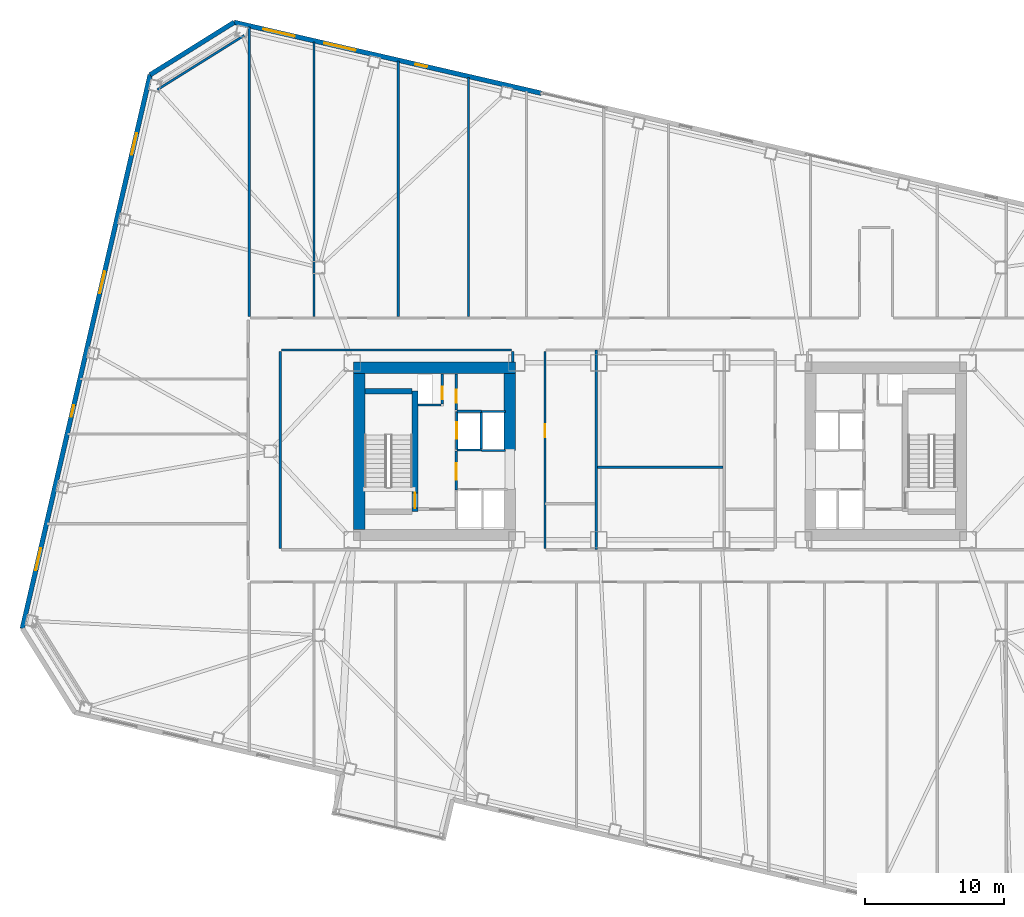
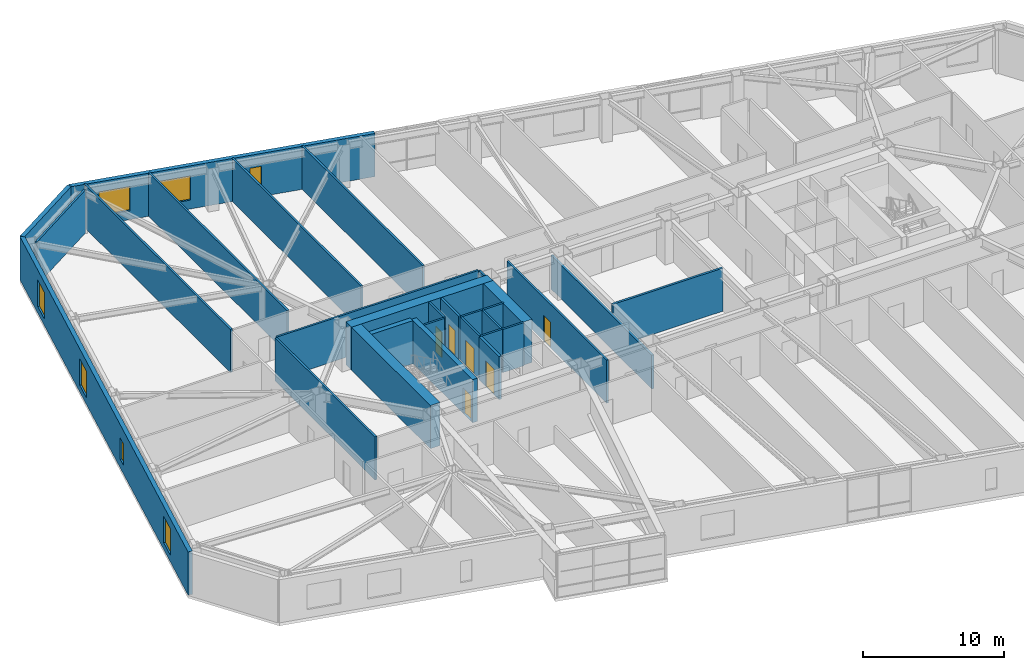
# One storey, part 13 of 21: 29 walls, 7 windows, 6 doors, 13 openings.
"""IFC4 building model written with IfcOpenShell, lengths in metres."""

from ifc_helpers import new_model, si_unit, direction, frame, frame_2d, origin, place, context, subcontext, project, spatial, rectangle, extrude, material, layer, layer_set, type_object, element, fill, save


model = new_model("IFC4")

# Units and contexts
model_context = context("Model", 3, precision=1e-05, world=origin(), true_north=direction((0.0, 1.0)))
body_context = subcontext(model_context, "Body", "Model", "MODEL_VIEW")
ifc_project = project(units=[si_unit("LENGTHUNIT", "METRE"), si_unit("AREAUNIT", "SQUARE_METRE"), si_unit("VOLUMEUNIT", "CUBIC_METRE"), si_unit("PLANEANGLEUNIT", "RADIAN"), si_unit("MASSUNIT", "GRAM", prefix="KILO")], contexts=[model_context])

# Site, building, storey
site_placement = place(None, origin())
site = spatial("IfcSite", under=ifc_project, at=site_placement, CompositionType="ELEMENT")
building_placement = place(site_placement, origin())
building = spatial("IfcBuilding", under=site, at=building_placement, Name="Tavrogorsk Clinical Tower", CompositionType="ELEMENT")
storey_placement = place(building_placement, frame((0.0, 0.0, 43.39990234375)))
storey = spatial("IfcBuildingStorey", under=building, at=storey_placement, Name="L08", CompositionType="ELEMENT", Elevation=43.39990234375)

# Wall, opening, door
ifc_material_1 = material(Name="Concrete B60", Category="concrete")
ifc_layer_1 = layer(ifc_material_1, 0.199951171875)
ifc_layer_set_1 = layer_set([ifc_layer_1], Name="Concrete B60")
wall_type_1 = type_object("IfcWallType", Name="CoreFireWall_200", PredefinedType="SOLIDWALL", material=ifc_layer_set_1)
wall_1_placement = place(storey_placement, frame((-14.639892578125, 2.9599609375, 0.0), z_axis=(0.0, 0.0, 1.0), x_axis=(0.0, 1.0, 0.0)))
wall_1 = element("IfcWall", 1, at=wall_1_placement, inside=storey, type_object=wall_type_1, Name="L08 Core West North Core Room East Wall", PredefinedType="SOLIDWALL", context=body_context, shape_type="SweptSolid", body=[
    extrude(rectangle(XDim=2.60009765625, YDim=0.199951171875, at=frame_2d((1.300048828125, 0.0))), origin(), (0.0, 0.0, 1.0), 3.739990234375),
])
opening_1_placement = place(wall_1_placement, frame((0.52001953125, 0.0, 0.0)))
opening_1 = element("IfcOpeningElement", 2, at=opening_1_placement, cuts=wall_1, Name="Opening ID-02", PredefinedType="OPENING", context=body_context, shape_type="SweptSolid", body=[
    extrude(rectangle(XDim=0.949951171875, YDim=2.199951171875, at=frame_2d((0.47509765625, 1.10009765625))), frame((0.0, 0.10986328125, 0.0), z_axis=(0.0, -1.0, 0.0), x_axis=(1.0, 0.0, 0.0)), (0.0, 0.0, 1.0), 0.219970703125),
])
ifc_material_2 = material(Name="Laminated timber leaf on aluminium frame", Category="wood")
door_type_1 = type_object("IfcDoorType", Name="InteriorDoor_ID02_950", OperationType="NOTDEFINED", PredefinedType="DOOR", material=ifc_material_2)
door_1_placement = place(opening_1_placement, origin())
door_1 = element("IfcDoor", 3, at=door_1_placement, inside=storey, type_object=door_type_1, Name="L08 Core West Core Telemetry Room Door", OperationType="SINGLE_SWING_LEFT", OverallHeight=2.199951171875, OverallWidth=0.949951171875, PredefinedType="DOOR", context=body_context, shape_type="SweptSolid", body=[
    extrude(rectangle(XDim=0.949951171875, YDim=2.199951171875, at=frame_2d((0.47509765625, 1.10009765625))), frame((0.0, 0.02490234375, 0.0), z_axis=(0.0, -1.0, 0.0), x_axis=(1.0, 0.0, 0.0)), (0.0, 0.0, 1.0), 0.050048828125),
])
fill(opening_1, door_1)

wall_2_placement = place(storey_placement, frame((-14.639892578125, -2.780029296875, 0.0), z_axis=(0.0, 0.0, 1.0), x_axis=(0.0, 1.0, 0.0)))
wall_2 = element("IfcWall", 4, at=wall_2_placement, inside=storey, type_object=wall_type_1, Name="L08 Core West Firefighting Lobby Fire Wall", PredefinedType="SOLIDWALL", context=body_context, shape_type="SweptSolid", body=[
    extrude(rectangle(XDim=2.820068359375, YDim=0.199951171875, at=frame_2d((1.41015625, 0.0))), origin(), (0.0, 0.0, 1.0), 3.739990234375),
])
opening_2_placement = place(wall_2_placement, frame((0.72998046875, 0.0, 0.0)))
opening_2 = element("IfcOpeningElement", 5, at=opening_2_placement, cuts=wall_2, Name="Opening FD-01", PredefinedType="OPENING", context=body_context, shape_type="SweptSolid", body=[
    extrude(rectangle(XDim=1.199951171875, YDim=2.199951171875, at=frame_2d((0.60009765625, 1.10009765625))), frame((0.0, 0.10986328125, 0.0), z_axis=(0.0, -1.0, 0.0), x_axis=(1.0, 0.0, 0.0)), (0.0, 0.0, 1.0), 0.219970703125),
])
ifc_material_3 = material(Name="Galvanised steel fire-rated door assembly", Category="steel")
door_type_2 = type_object("IfcDoorType", Name="FireDoor_FD01_1200", OperationType="NOTDEFINED", PredefinedType="DOOR", material=ifc_material_3)
door_2_placement = place(opening_2_placement, origin())
door_2 = element("IfcDoor", 6, at=door_2_placement, inside=storey, type_object=door_type_2, Name="L08 Core West Firefighting Lobby Entry Door", OperationType="SINGLE_SWING_RIGHT", OverallHeight=2.199951171875, OverallWidth=1.199951171875, PredefinedType="DOOR", context=body_context, shape_type="SweptSolid", body=[
    extrude(rectangle(XDim=1.199951171875, YDim=2.199951171875, at=frame_2d((0.60009765625, 1.10009765625))), frame((0.0, 0.02490234375, 0.0), z_axis=(0.0, -1.0, 0.0), x_axis=(1.0, 0.0, 0.0)), (0.0, 0.0, 1.0), 0.050048828125),
])
fill(opening_2, door_2)

# Wall
ifc_material_4 = material(Name="Lightweight concrete blockwork B15", Category="masonry")
ifc_layer_2 = layer(ifc_material_4, 0.159912109375)
ifc_layer_set_2 = layer_set([ifc_layer_2], Name="Lightweight concrete blockwork B15")
wall_type_2 = type_object("IfcWallType", Name="PartitionWall_160", PredefinedType="PARTITIONING", material=ifc_layer_set_2)
wall_3_placement = place(storey_placement, frame((-29.859619140625, 29.8681640625, 0.0), z_axis=(0.0, 0.0, 1.0), x_axis=(-0.848043064089, -0.529927317139, 0.0)))
element("IfcWall", 7, at=wall_3_placement, inside=storey, type_object=wall_type_2, Name="L08 Corner Exoskeleton Brace Furring Wall 3", PredefinedType="PARTITIONING", context=body_context, shape_type="SweptSolid", body=[
    extrude(rectangle(XDim=7.353759765625, YDim=0.159912109375, at=frame_2d((3.6767578125, 0.0))), origin(), (0.0, 0.0, 1.0), 3.739990234375),
])

# Wall, opening, door
wall_4_placement = place(storey_placement, frame((-8.27001953125, 7.18505859375, 0.0), z_axis=(0.0, 0.0, 1.0), x_axis=(0.0, -1.0, 0.0)))
wall_4 = element("IfcWall", 8, at=wall_4_placement, inside=storey, type_object=wall_type_2, Name="L08 Corridor Partition 16", PredefinedType="PARTITIONING", context=body_context, shape_type="SweptSolid", body=[
    extrude(rectangle(XDim=14.170166015625, YDim=0.159912109375, at=frame_2d((7.0849609375, 0.0))), origin(), (0.0, 0.0, 1.0), 3.739990234375),
])
opening_3_placement = place(wall_4_placement, frame((5.22900390625, 0.0, 0.0)))
opening_3 = element("IfcOpeningElement", 9, at=opening_3_placement, cuts=wall_4, Name="Opening ID-02", PredefinedType="OPENING", context=body_context, shape_type="SweptSolid", body=[
    extrude(rectangle(XDim=0.949951171875, YDim=2.199951171875, at=frame_2d((0.47509765625, 1.10009765625))), frame((0.0, 0.08984375, 0.0), z_axis=(0.0, -1.0, 0.0), x_axis=(1.0, 0.0, 0.0)), (0.0, 0.0, 1.0), 0.179931640625),
])
door_3_placement = place(opening_3_placement, origin())
door_3 = element("IfcDoor", 10, at=door_3_placement, inside=storey, type_object=door_type_1, Name="L08 Ward Nourishment Pantry Door", OperationType="SINGLE_SWING_RIGHT", OverallHeight=2.199951171875, OverallWidth=0.949951171875, PredefinedType="DOOR", context=body_context, shape_type="SweptSolid", body=[
    extrude(rectangle(XDim=0.949951171875, YDim=2.199951171875, at=frame_2d((0.47509765625, 1.10009765625))), frame((0.0, 0.02490234375, 0.0), z_axis=(0.0, -1.0, 0.0), x_axis=(1.0, 0.0, 0.0)), (0.0, 0.0, 1.0), 0.050048828125),
])
fill(opening_3, door_3)

# Walls
wall_5_placement = place(storey_placement, frame((-10.580078125, 6.419921875, 0.0), z_axis=(0.0, 0.0, 1.0), x_axis=(0.0, 1.0, 0.0)))
element("IfcWall", 11, at=wall_5_placement, inside=storey, type_object=wall_type_2, Name="L08 Corridor Partition 19", PredefinedType="PARTITIONING", context=body_context, shape_type="SweptSolid", body=[
    extrude(rectangle(XDim=0.76513671875, YDim=0.159912109375, at=frame_2d((0.382568359375, 0.0))), origin(), (0.0, 0.0, 1.0), 3.739990234375),
])
wall_6_placement = place(storey_placement, frame((-10.6650390625, 7.27001953125, 0.0), z_axis=(0.0, 0.0, 1.0), x_axis=(-1.0, 0.0, 0.0)))
element("IfcWall", 12, at=wall_6_placement, inside=storey, type_object=wall_type_2, Name="L08 Corridor Partition 20", PredefinedType="PARTITIONING", context=body_context, shape_type="SweptSolid", body=[
    extrude(rectangle(XDim=16.52001953125, YDim=0.159912109375, at=frame_2d((8.260009765625, 0.0))), origin(), (0.0, 0.0, 1.0), 3.739990234375),
])
wall_7_placement = place(storey_placement, frame((-27.27001953125, 7.18505859375, 0.0), z_axis=(0.0, 0.0, 1.0), x_axis=(0.0, -1.0, 0.0)))
element("IfcWall", 13, at=wall_7_placement, inside=storey, type_object=wall_type_2, Name="L08 Corridor Partition 21", PredefinedType="PARTITIONING", context=body_context, shape_type="SweptSolid", body=[
    extrude(rectangle(XDim=14.170166015625, YDim=0.159912109375, at=frame_2d((7.0849609375, 0.0))), origin(), (0.0, 0.0, 1.0), 3.739990234375),
])
wall_8_placement = place(storey_placement, frame((-29.5, 9.6650390625, 0.0), z_axis=(0.0, 0.0, 1.0), x_axis=(0.0, 1.0, 0.0)))
element("IfcWall", 14, at=wall_8_placement, inside=storey, type_object=wall_type_2, Name="L08 NW Wing Closure Partition", PredefinedType="PARTITIONING", context=body_context, shape_type="SweptSolid", body=[
    extrude(rectangle(XDim=20.818603515625, YDim=0.159912109375, at=frame_2d((10.4091796875, 0.0))), origin(), (0.0, 0.0, 1.0), 3.739990234375),
])
wall_9_placement = place(storey_placement, frame((-24.85009765625, 9.6650390625, 0.0), z_axis=(0.0, 0.0, 1.0), x_axis=(0.0, 1.0, 0.0)))
element("IfcWall", 15, at=wall_9_placement, inside=storey, type_object=wall_type_2, Name="L08 North Room Partition 1", PredefinedType="PARTITIONING", context=body_context, shape_type="SweptSolid", body=[
    extrude(rectangle(XDim=19.7451171875, YDim=0.159912109375, at=frame_2d((9.87255859375, 0.0))), origin(), (0.0, 0.0, 1.0), 3.739990234375),
])
wall_10_placement = place(storey_placement, frame((-18.800048828125, 9.6650390625, 0.0), z_axis=(0.0, 0.0, 1.0), x_axis=(0.0, 1.0, 0.0)))
element("IfcWall", 16, at=wall_10_placement, inside=storey, type_object=wall_type_2, Name="L08 North Room Partition 2", PredefinedType="PARTITIONING", context=body_context, shape_type="SweptSolid", body=[
    extrude(rectangle(XDim=18.34814453125, YDim=0.159912109375, at=frame_2d((9.174072265625, 0.0))), origin(), (0.0, 0.0, 1.0), 3.739990234375),
])
wall_11_placement = place(storey_placement, frame((-13.75, 9.6650390625, 0.0), z_axis=(0.0, 0.0, 1.0), x_axis=(0.0, 1.0, 0.0)))
element("IfcWall", 17, at=wall_11_placement, inside=storey, type_object=wall_type_2, Name="L08 North Sub-Partition 3", PredefinedType="PARTITIONING", context=body_context, shape_type="SweptSolid", body=[
    extrude(rectangle(XDim=17.182373046875, YDim=0.159912109375, at=frame_2d((8.59130859375, 0.0))), origin(), (0.0, 0.0, 1.0), 3.739990234375),
])
ifc_material_5 = material(Name="Lightweight concrete blockwork B20", Category="masonry")
ifc_layer_3 = layer(ifc_material_5, 0.179931640625)
ifc_layer_set_3 = layer_set([ifc_layer_3], Name="Lightweight concrete blockwork B20")
wall_type_3 = type_object("IfcWallType", Name="PartitionWall_180", PredefinedType="PARTITIONING", material=ifc_layer_set_3)
wall_12_placement = place(storey_placement, frame((-4.60009765625, -7.06494140625, 0.0), z_axis=(0.0, 0.0, 1.0), x_axis=(0.0, 1.0, 0.0)))
element("IfcWall", 18, at=wall_12_placement, inside=storey, type_object=wall_type_3, Name="L08 Central Spine Partition 1", PredefinedType="PARTITIONING", context=body_context, shape_type="SweptSolid", body=[
    extrude(rectangle(XDim=14.329833984375, YDim=0.179931640625, at=frame_2d((7.1650390625, 0.0))), origin(), (0.0, 0.0, 1.0), 2.93505859375),
])
wall_13_placement = place(storey_placement, frame((-4.5048828125, -1.14990234375, 0.0), z_axis=(0.0, 0.0, 1.0), x_axis=(1.0, 0.0, 0.0)))
element("IfcWall", 19, at=wall_13_placement, inside=storey, type_object=wall_type_3, Name="L08 Central Spine Partition 3", PredefinedType="PARTITIONING", context=body_context, shape_type="SweptSolid", body=[
    extrude(rectangle(XDim=9.009765625, YDim=0.179931640625, at=frame_2d((4.5048828125, 0.0))), origin(), (0.0, 0.0, 1.0), 3.739990234375),
])

# Wall, openings, windows
ifc_material_6 = material(Name="Precast concrete B45 with limestone cladding", Category="masonry")
ifc_layer_4 = layer(ifc_material_6, 0.340087890625)
ifc_layer_set_4 = layer_set([ifc_layer_4], Name="Precast concrete B45 with limestone cladding")
wall_type_4 = type_object("IfcWallType", Name="PrecastLimestoneWall_340", PredefinedType="STANDARD", material=ifc_layer_set_4)
wall_14_placement = place(storey_placement, frame((-8.5166015625, 25.711181640625, 0.0), z_axis=(0.0, 0.0, 1.0), x_axis=(-0.974372845456, 0.224939009598, 0.0)))
wall_14 = element("IfcWall", 20, at=wall_14_placement, inside=storey, type_object=wall_type_4, Name="L08 N Limestone Facade Wall 3", PredefinedType="STANDARD", context=body_context, shape_type="SweptSolid", body=[
    extrude(rectangle(XDim=22.651611328125, YDim=0.340087890625, at=frame_2d((11.32568359375, 0.0))), origin(), (0.0, 0.0, 1.0), 3.739990234375),
])
opening_4_placement = place(wall_14_placement, frame((18.189208984375, 0.0, 0.77001953125)))
opening_4 = element("IfcOpeningElement", 21, at=opening_4_placement, cuts=wall_14, Name="Opening WN-12", PredefinedType="OPENING", context=body_context, shape_type="SweptSolid", body=[
    extrude(rectangle(XDim=2.300048828125, YDim=2.10009765625, at=frame_2d((1.14990234375, 1.050048828125))), frame((0.0, 0.179931640625, 0.0), z_axis=(0.0, -1.0, 0.0), x_axis=(1.0, 0.0, 0.0)), (0.0, 0.0, 1.0), 0.360107421875),
])
opening_5_placement = place(wall_14_placement, frame((13.704833984375, 0.0, 0.77001953125)))
opening_5 = element("IfcOpeningElement", 22, at=opening_5_placement, cuts=wall_14, Name="Opening WN-12", PredefinedType="OPENING", context=body_context, shape_type="SweptSolid", body=[
    extrude(rectangle(XDim=2.300048828125, YDim=2.10009765625, at=frame_2d((1.14990234375, 1.050048828125))), frame((0.0, 0.179931640625, 0.0), z_axis=(0.0, -1.0, 0.0), x_axis=(1.0, 0.0, 0.0)), (0.0, 0.0, 1.0), 0.360107421875),
])
opening_6_placement = place(wall_14_placement, frame((8.440673828125, 0.0, 0.77001953125)))
opening_6 = element("IfcOpeningElement", 23, at=opening_6_placement, cuts=wall_14, Name="Opening WN-06", PredefinedType="OPENING", context=body_context, shape_type="SweptSolid", body=[
    extrude(rectangle(XDim=0.85009765625, YDim=1.85009765625, at=frame_2d((0.425048828125, 0.925048828125))), frame((0.0, 0.179931640625, 0.0), z_axis=(0.0, -1.0, 0.0), x_axis=(1.0, 0.0, 0.0)), (0.0, 0.0, 1.0), 0.360107421875),
])
ifc_material_7 = material(Name="Thermally broken aluminium frame and triple IGU", Category="aluminium")
window_type_1 = type_object("IfcWindowType", Name="MullionSubWin_850x1850", PartitioningType="SINGLE_PANEL", PredefinedType="WINDOW", material=ifc_material_7)
window_1_placement = place(opening_6_placement, origin())
window_1 = element("IfcWindow", 24, at=window_1_placement, inside=storey, type_object=window_type_1, Name="L08 N Mullion Split Window 03A", OverallHeight=1.85009765625, OverallWidth=0.85009765625, PartitioningType="SINGLE_PANEL", PredefinedType="WINDOW", context=body_context, shape_type="SweptSolid", body=[
    extrude(rectangle(XDim=0.85009765625, YDim=1.85009765625, at=frame_2d((0.425048828125, 0.925048828125))), frame((0.0, 0.030029296875, 0.0), z_axis=(0.0, -1.0, 0.0), x_axis=(1.0, 0.0, 0.0)), (0.0, 0.0, 1.0), 0.06005859375),
])
fill(opening_6, window_1)
ifc_material_8 = material(Name="Thermally broken aluminium frame and triple IGU", Category="aluminium")
window_type_2 = type_object("IfcWindowType", Name="RecoveryWin_2300x2100", PartitioningType="DOUBLE_PANEL_VERTICAL", PredefinedType="WINDOW", material=ifc_material_8)
window_2_placement = place(opening_4_placement, origin())
window_2 = element("IfcWindow", 25, at=window_2_placement, inside=storey, type_object=window_type_2, Name="L08 N Chicago Window 01", OverallHeight=2.10009765625, OverallWidth=2.300048828125, PartitioningType="SINGLE_PANEL", PredefinedType="WINDOW", context=body_context, shape_type="SweptSolid", body=[
    extrude(rectangle(XDim=2.300048828125, YDim=2.10009765625, at=frame_2d((1.14990234375, 1.050048828125))), frame((0.0, 0.030029296875, 0.0), z_axis=(0.0, -1.0, 0.0), x_axis=(1.0, 0.0, 0.0)), (0.0, 0.0, 1.0), 0.06005859375),
])
fill(opening_4, window_2)
window_3_placement = place(opening_5_placement, origin())
window_3 = element("IfcWindow", 26, at=window_3_placement, inside=storey, type_object=window_type_2, Name="L08 N Chicago Window 02", OverallHeight=2.10009765625, OverallWidth=2.300048828125, PartitioningType="SINGLE_PANEL", PredefinedType="WINDOW", context=body_context, shape_type="SweptSolid", body=[
    extrude(rectangle(XDim=2.300048828125, YDim=2.10009765625, at=frame_2d((1.14990234375, 1.050048828125))), frame((0.0, 0.030029296875, 0.0), z_axis=(0.0, -1.0, 0.0), x_axis=(1.0, 0.0, 0.0)), (0.0, 0.0, 1.0), 0.06005859375),
])
fill(opening_5, window_3)

wall_15_placement = place(storey_placement, frame((-36.6201171875, 27.036865234375, 0.0), z_axis=(0.0, 0.0, 1.0), x_axis=(-0.224951280646, -0.974370012539, 0.0)))
wall_15 = element("IfcWall", 27, at=wall_15_placement, inside=storey, type_object=wall_type_4, Name="L08 W Pleated Limestone Wing Wall", PredefinedType="STANDARD", context=body_context, shape_type="SweptSolid", body=[
    extrude(rectangle(XDim=40.7998046875, YDim=0.340087890625, at=frame_2d((20.39990234375, 0.0))), origin(), (0.0, 0.0, 1.0), 3.739990234375),
])
opening_7_placement = place(wall_15_placement, frame((4.300048828125, 0.0, 0.580078125)))
opening_7 = element("IfcOpeningElement", 28, at=opening_7_placement, cuts=wall_15, Name="Opening WN-07", PredefinedType="OPENING", context=body_context, shape_type="SweptSolid", body=[
    extrude(rectangle(XDim=1.60009765625, YDim=2.300048828125, at=frame_2d((0.800048828125, 1.14990234375))), frame((0.0, 0.179931640625, 0.0), z_axis=(0.0, -1.0, 0.0), x_axis=(1.0, 0.0, 0.0)), (0.0, 0.0, 1.0), 0.360107421875),
])
opening_8_placement = place(wall_15_placement, frame((14.5, 0.0, 0.580078125)))
opening_8 = element("IfcOpeningElement", 29, at=opening_8_placement, cuts=wall_15, Name="Opening WN-07", PredefinedType="OPENING", context=body_context, shape_type="SweptSolid", body=[
    extrude(rectangle(XDim=1.60009765625, YDim=2.300048828125, at=frame_2d((0.800048828125, 1.14990234375))), frame((0.0, 0.179931640625, 0.0), z_axis=(0.0, -1.0, 0.0), x_axis=(1.0, 0.0, 0.0)), (0.0, 0.0, 1.0), 0.360107421875),
])
opening_9_placement = place(wall_15_placement, frame((24.35009765625, 0.0, 0.75)))
opening_9 = element("IfcOpeningElement", 30, at=opening_9_placement, cuts=wall_15, Name="Opening WN-06", PredefinedType="OPENING", context=body_context, shape_type="SweptSolid", body=[
    extrude(rectangle(XDim=0.85009765625, YDim=1.85009765625, at=frame_2d((0.425048828125, 0.925048828125))), frame((0.0, 0.179931640625, 0.0), z_axis=(0.0, -1.0, 0.0), x_axis=(1.0, 0.0, 0.0)), (0.0, 0.0, 1.0), 0.360107421875),
])
opening_10_placement = place(wall_15_placement, frame((34.89990234375, 0.0, 0.580078125)))
opening_10 = element("IfcOpeningElement", 31, at=opening_10_placement, cuts=wall_15, Name="Opening WN-07", PredefinedType="OPENING", context=body_context, shape_type="SweptSolid", body=[
    extrude(rectangle(XDim=1.60009765625, YDim=2.300048828125, at=frame_2d((0.800048828125, 1.14990234375))), frame((0.0, 0.179931640625, 0.0), z_axis=(0.0, -1.0, 0.0), x_axis=(1.0, 0.0, 0.0)), (0.0, 0.0, 1.0), 0.360107421875),
])
window_4_placement = place(opening_9_placement, origin())
window_4 = element("IfcWindow", 32, at=window_4_placement, inside=storey, type_object=window_type_1, Name="L08 W Pleat Mullion Window 3A", OverallHeight=1.85009765625, OverallWidth=0.85009765625, PartitioningType="SINGLE_PANEL", PredefinedType="WINDOW", context=body_context, shape_type="SweptSolid", body=[
    extrude(rectangle(XDim=0.85009765625, YDim=1.85009765625, at=frame_2d((0.425048828125, 0.925048828125))), frame((0.0, 0.030029296875, 0.0), z_axis=(0.0, -1.0, 0.0), x_axis=(1.0, 0.0, 0.0)), (0.0, 0.0, 1.0), 0.06005859375),
])
fill(opening_9, window_4)
ifc_material_9 = material(Name="Thermally broken aluminium frame and triple IGU", Category="aluminium")
window_type_3 = type_object("IfcWindowType", Name="PleatSlotWin_1600x2300", PartitioningType="SINGLE_PANEL", PredefinedType="WINDOW", material=ifc_material_9)
window_5_placement = place(opening_7_placement, origin())
window_5 = element("IfcWindow", 33, at=window_5_placement, inside=storey, type_object=window_type_3, Name="L08 W Pleat Slot Window 1", OverallHeight=2.300048828125, OverallWidth=1.60009765625, PartitioningType="SINGLE_PANEL", PredefinedType="WINDOW", context=body_context, shape_type="SweptSolid", body=[
    extrude(rectangle(XDim=1.60009765625, YDim=2.300048828125, at=frame_2d((0.800048828125, 1.14990234375))), frame((0.0, 0.030029296875, 0.0), z_axis=(0.0, -1.0, 0.0), x_axis=(1.0, 0.0, 0.0)), (0.0, 0.0, 1.0), 0.06005859375),
])
fill(opening_7, window_5)
window_6_placement = place(opening_8_placement, origin())
window_6 = element("IfcWindow", 34, at=window_6_placement, inside=storey, type_object=window_type_3, Name="L08 W Pleat Slot Window 2", OverallHeight=2.300048828125, OverallWidth=1.60009765625, PartitioningType="SINGLE_PANEL", PredefinedType="WINDOW", context=body_context, shape_type="SweptSolid", body=[
    extrude(rectangle(XDim=1.60009765625, YDim=2.300048828125, at=frame_2d((0.800048828125, 1.14990234375))), frame((0.0, 0.030029296875, 0.0), z_axis=(0.0, -1.0, 0.0), x_axis=(1.0, 0.0, 0.0)), (0.0, 0.0, 1.0), 0.06005859375),
])
fill(opening_8, window_6)
window_7_placement = place(opening_10_placement, origin())
window_7 = element("IfcWindow", 35, at=window_7_placement, inside=storey, type_object=window_type_3, Name="L08 W Pleat Slot Window 4", OverallHeight=2.300048828125, OverallWidth=1.60009765625, PartitioningType="SINGLE_PANEL", PredefinedType="WINDOW", context=body_context, shape_type="SweptSolid", body=[
    extrude(rectangle(XDim=1.60009765625, YDim=2.300048828125, at=frame_2d((0.800048828125, 1.14990234375))), frame((0.0, 0.030029296875, 0.0), z_axis=(0.0, -1.0, 0.0), x_axis=(1.0, 0.0, 0.0)), (0.0, 0.0, 1.0), 0.06005859375),
])
fill(opening_10, window_7)

# Wall
wall_16_placement = place(storey_placement, frame((-30.587646484375, 30.806640625, 0.0), z_axis=(0.0, 0.0, 1.0), x_axis=(-0.848031080615, -0.529946493819, 0.0)))
element("IfcWall", 36, at=wall_16_placement, inside=storey, type_object=wall_type_4, Name="L08 Chamfered Corner Wall 3", PredefinedType="STANDARD", context=body_context, shape_type="SweptSolid", body=[
    extrude(rectangle(XDim=7.113525390625, YDim=0.340087890625, at=frame_2d((3.556640625, 0.0))), origin(), (0.0, 0.0, 1.0), 3.739990234375),
])

# Wall, opening, door
ifc_material_10 = material(Name="Lightweight concrete blockwork B25", Category="masonry")
ifc_layer_5 = layer(ifc_material_10, 0.159912109375)
ifc_layer_set_5 = layer_set([ifc_layer_5], Name="Lightweight concrete blockwork B25")
wall_type_5 = type_object("IfcWallType", Name="ShaftWall_160", PredefinedType="PARTITIONING", material=ifc_layer_set_5)
wall_17_placement = place(storey_placement, frame((-14.60009765625, 0.1201171875, 0.0), z_axis=(0.0, 0.0, 1.0), x_axis=(0.0, 1.0, 0.0)))
wall_17 = element("IfcWall", 37, at=wall_17_placement, inside=storey, type_object=wall_type_5, Name="L08 FFL-W Firefighting Lift Front Wall", PredefinedType="PARTITIONING", context=body_context, shape_type="SweptSolid", body=[
    extrude(rectangle(XDim=2.739990234375, YDim=0.159912109375, at=frame_2d((1.3701171875, 0.0))), origin(), (0.0, 0.0, 1.0), 3.739990234375),
])
opening_11_placement = place(wall_17_placement, frame((0.77001953125, 0.0, 0.0)))
opening_11 = element("IfcOpeningElement", 38, at=opening_11_placement, cuts=wall_17, Name="Opening LD", PredefinedType="OPENING", context=body_context, shape_type="SweptSolid", body=[
    extrude(rectangle(XDim=1.199951171875, YDim=2.199951171875, at=frame_2d((0.60009765625, 1.10009765625))), frame((0.0, 0.08984375, 0.0), z_axis=(0.0, -1.0, 0.0), x_axis=(1.0, 0.0, 0.0)), (0.0, 0.0, 1.0), 0.179931640625),
])
ifc_material_11 = material(Name="Brushed stainless steel AISI 304 sliding doors", Category="steel")
door_type_3 = type_object("IfcDoorType", Name="LiftLandingDoor_LD_1200", OperationType="SLIDING_TO_LEFT", PredefinedType="DOOR", material=ifc_material_11)
door_4_placement = place(opening_11_placement, origin())
door_4 = element("IfcDoor", 39, at=door_4_placement, inside=storey, type_object=door_type_3, Name="L08 FFL-W Sliding Lift Landing Door", OperationType="SLIDING_TO_LEFT", OverallHeight=2.199951171875, OverallWidth=1.199951171875, PredefinedType="DOOR", context=body_context, shape_type="SweptSolid", body=[
    extrude(rectangle(XDim=1.199951171875, YDim=2.199951171875, at=frame_2d((0.60009765625, 1.10009765625))), frame((0.0, 0.02490234375, 0.0), z_axis=(0.0, -1.0, 0.0), x_axis=(1.0, 0.0, 0.0)), (0.0, 0.0, 1.0), 0.050048828125),
])
fill(opening_11, door_4)

# Walls
for number, where, z_axis, x_axis, name in (
    (40, (-14.60009765625, 0.10009765625, 0.0), (0.0, 0.0, 1.0), (1.0, 0.0, 0.0), "L08 FFL-W Shaft South Wall"),
    (41, (-14.60009765625, 2.8798828125, 0.0), (0.0, 0.0, 1.0), (1.0, 0.0, 0.0), "L08 FFL-W Shaft North Wall"),
):
    element("IfcWall", number, at=place(storey_placement, frame(where, z_axis=z_axis, x_axis=x_axis)), inside=storey, type_object=wall_type_5, Name=name, PredefinedType="PARTITIONING", context=body_context, shape_type="SweptSolid", body=[
        extrude(rectangle(XDim=1.760009765625, YDim=0.159912109375, at=frame_2d((0.8798828125, 0.0))), origin(), (0.0, 0.0, 1.0), 3.739990234375),
    ])
wall_18_placement = place(storey_placement, frame((-12.840087890625, 0.179931640625, 0.0), z_axis=(0.0, 0.0, 1.0), x_axis=(0.0, 1.0, 0.0)))
element("IfcWall", 42, at=wall_18_placement, inside=storey, type_object=wall_type_5, Name="L08 FFL-W Shaft Back Wall", PredefinedType="PARTITIONING", context=body_context, shape_type="SweptSolid", body=[
    extrude(rectangle(XDim=2.6201171875, YDim=0.159912109375, at=frame_2d((1.31005859375, 0.0))), origin(), (0.0, 0.0, 1.0), 3.739990234375),
])
for number, where, z_axis, x_axis, name in (
    (43, (-12.820068359375, 0.06005859375, 0.0), (0.0, 0.0, 1.0), (1.0, 0.0, 0.0), "L08 LP-H1 High-Zone Lift Portal Wall"),
    (44, (-12.820068359375, 2.860107421875, 0.0), (0.0, 0.0, 1.0), (1.0, 0.0, 0.0), "L08 LP-H1 High-Zone Lift Rear Wall"),
):
    element("IfcWall", number, at=place(storey_placement, frame(where, z_axis=z_axis, x_axis=x_axis)), inside=storey, type_object=wall_type_5, Name=name, PredefinedType="PARTITIONING", context=body_context, shape_type="SweptSolid", body=[
        extrude(rectangle(XDim=1.719970703125, YDim=0.159912109375, at=frame_2d((0.85986328125, 0.0))), origin(), (0.0, 0.0, 1.0), 3.739990234375),
    ])

# Wall, opening, door
wall_19_placement = place(storey_placement, frame((-15.639892578125, 3.405029296875, 0.0), z_axis=(0.0, 0.0, 1.0), x_axis=(0.0, 1.0, 0.0)))
wall_19 = element("IfcWall", 45, at=wall_19_placement, inside=storey, type_object=wall_type_5, Name="L08 Core West Riser West Wall", PredefinedType="PARTITIONING", context=body_context, shape_type="SweptSolid", body=[
    extrude(rectangle(XDim=2.155029296875, YDim=0.159912109375, at=frame_2d((1.07763671875, 0.0))), origin(), (0.0, 0.0, 1.0), 3.739990234375),
])
opening_12_placement = place(wall_19_placement, frame((0.35009765625, 0.0, 0.0)))
opening_12 = element("IfcOpeningElement", 46, at=opening_12_placement, cuts=wall_19, Name="Opening FD-02", PredefinedType="OPENING", context=body_context, shape_type="SweptSolid", body=[
    extrude(rectangle(XDim=0.89990234375, YDim=2.199951171875, at=frame_2d((0.449951171875, 1.10009765625))), frame((0.0, 0.08984375, 0.0), z_axis=(0.0, -1.0, 0.0), x_axis=(1.0, 0.0, 0.0)), (0.0, 0.0, 1.0), 0.179931640625),
])
ifc_material_12 = material(Name="Galvanised steel fire-rated door assembly", Category="steel")
door_type_4 = type_object("IfcDoorType", Name="FireDoor_FD02_900", OperationType="NOTDEFINED", PredefinedType="DOOR", material=ifc_material_12)
door_5_placement = place(opening_12_placement, origin())
door_5 = element("IfcDoor", 47, at=door_5_placement, inside=storey, type_object=door_type_4, Name="L08 Core West Electrical Riser Access Door", OperationType="SINGLE_SWING_LEFT", OverallHeight=2.199951171875, OverallWidth=0.89990234375, PredefinedType="DOOR", context=body_context, shape_type="SweptSolid", body=[
    extrude(rectangle(XDim=0.89990234375, YDim=2.199951171875, at=frame_2d((0.449951171875, 1.10009765625))), frame((0.0, 0.02490234375, 0.0), z_axis=(0.0, -1.0, 0.0), x_axis=(1.0, 0.0, 0.0)), (0.0, 0.0, 1.0), 0.050048828125),
])
fill(opening_12, door_5)

# Wall
wall_20_placement = place(storey_placement, frame((-17.3798828125, 3.320068359375, 0.0), z_axis=(0.0, 0.0, 1.0), x_axis=(1.0, 0.0, 0.0)))
element("IfcWall", 48, at=wall_20_placement, inside=storey, type_object=wall_type_5, Name="L08 Core West Riser South Wall", PredefinedType="PARTITIONING", context=body_context, shape_type="SweptSolid", body=[
    extrude(rectangle(XDim=1.65478515625, YDim=0.159912109375, at=frame_2d((0.827392578125, 0.0))), origin(), (0.0, 0.0, 1.0), 3.739990234375),
])

# Wall, opening, door
ifc_material_13 = material(Name="Concrete B80", Category="concrete")
ifc_layer_6 = layer(ifc_material_13, 0.39990234375)
ifc_layer_set_6 = layer_set([ifc_layer_6], Name="Concrete B80")
wall_type_6 = type_object("IfcWallType", Name="ShearWall_400", PredefinedType="SHEAR", material=ifc_layer_set_6)
wall_21_placement = place(storey_placement, frame((-17.60009765625, -4.324951171875, 0.0), z_axis=(0.0, 0.0, 1.0), x_axis=(0.0, 1.0, 0.0)))
wall_21 = element("IfcWall", 49, at=wall_21_placement, inside=storey, type_object=wall_type_6, Name="L08 Core West Stair Shaft Inner Shear Wall", PredefinedType="SHEAR", context=body_context, shape_type="SweptSolid", body=[
    extrude(rectangle(XDim=8.64990234375, YDim=0.39990234375, at=frame_2d((4.324951171875, 0.0))), origin(), (0.0, 0.0, 1.0), 3.739990234375),
])
opening_13_placement = place(wall_21_placement, frame((0.25, 0.0, 0.0)))
opening_13 = element("IfcOpeningElement", 50, at=opening_13_placement, cuts=wall_21, Name="Opening SD-01", PredefinedType="OPENING", context=body_context, shape_type="SweptSolid", body=[
    extrude(rectangle(XDim=1.10009765625, YDim=2.199951171875, at=frame_2d((0.550048828125, 1.10009765625))), frame((0.0, 0.2099609375, 0.0), z_axis=(0.0, -1.0, 0.0), x_axis=(1.0, 0.0, 0.0)), (0.0, 0.0, 1.0), 0.419921875),
])
ifc_material_14 = material(Name="Galvanised steel smoke-tight fire door assembly", Category="steel")
door_type_5 = type_object("IfcDoorType", Name="StairFireDoor_SD01_1100", OperationType="NOTDEFINED", PredefinedType="DOOR", material=ifc_material_14)
door_6_placement = place(opening_13_placement, origin())
door_6 = element("IfcDoor", 51, at=door_6_placement, inside=storey, type_object=door_type_5, Name="L08 ST-W Exit Stair Door", OperationType="SINGLE_SWING_LEFT", OverallHeight=2.199951171875, OverallWidth=1.10009765625, PredefinedType="DOOR", context=body_context, shape_type="SweptSolid", body=[
    extrude(rectangle(XDim=1.10009765625, YDim=2.199951171875, at=frame_2d((0.550048828125, 1.10009765625))), frame((0.0, 0.02490234375, 0.0), z_axis=(0.0, -1.0, 0.0), x_axis=(1.0, 0.0, 0.0)), (0.0, 0.0, 1.0), 0.050048828125),
])
fill(opening_13, door_6)

# Walls
wall_22_placement = place(storey_placement, frame((-21.199951171875, 4.324951171875, 0.0), z_axis=(0.0, 0.0, 1.0), x_axis=(1.0, 0.0, 0.0)))
element("IfcWall", 52, at=wall_22_placement, inside=storey, type_object=wall_type_6, Name="L08 Core West Stair Shaft North Shear Wall", PredefinedType="SHEAR", context=body_context, shape_type="SweptSolid", body=[
    extrude(rectangle(XDim=3.39990234375, YDim=0.39990234375, at=frame_2d((1.699951171875, 0.0))), origin(), (0.0, 0.0, 1.0), 3.739990234375),
])
ifc_material_15 = material(Name="Concrete B80", Category="concrete")
ifc_layer_7 = layer(ifc_material_15, 0.800048828125)
ifc_layer_set_7 = layer_set([ifc_layer_7], Name="Concrete B80")
wall_type_7 = type_object("IfcWallType", Name="ShearWall_800", PredefinedType="SHEAR", material=ifc_layer_set_7)
wall_23_placement = place(storey_placement, frame((-22.0, 6.0, 0.0), z_axis=(0.0, 0.0, 1.0), x_axis=(1.0, 0.0, 0.0)))
element("IfcWall", 53, at=wall_23_placement, inside=storey, type_object=wall_type_7, Name="L08 Core West North Shear Wall", PredefinedType="SHEAR", context=body_context, shape_type="SweptSolid", body=[
    extrude(rectangle(XDim=11.60009765625, YDim=0.800048828125, at=frame_2d((5.800048828125, 0.0))), origin(), (0.0, 0.0, 1.0), 3.739990234375),
])
wall_24_placement = place(storey_placement, frame((-21.60009765625, -5.60009765625, 0.0), z_axis=(0.0, 0.0, 1.0), x_axis=(0.0, 1.0, 0.0)))
element("IfcWall", 54, at=wall_24_placement, inside=storey, type_object=wall_type_7, Name="L08 Core West End Shear Wall", PredefinedType="SHEAR", context=body_context, shape_type="SweptSolid", body=[
    extrude(rectangle(XDim=11.2001953125, YDim=0.800048828125, at=frame_2d((5.60009765625, 0.0))), origin(), (0.0, 0.0, 1.0), 3.739990234375),
])
wall_25_placement = place(storey_placement, frame((-10.800048828125, 0.050048828125, 0.0), z_axis=(0.0, 0.0, 1.0), x_axis=(0.0, 1.0, 0.0)))
element("IfcWall", 55, at=wall_25_placement, inside=storey, type_object=wall_type_7, Name="L08 Core West Inner North Pier", PredefinedType="SHEAR", context=body_context, shape_type="SweptSolid", body=[
    extrude(rectangle(XDim=5.550048828125, YDim=0.800048828125, at=frame_2d((2.77490234375, 0.0))), origin(), (0.0, 0.0, 1.0), 3.739990234375),
])

save(model, "model.ifc")
